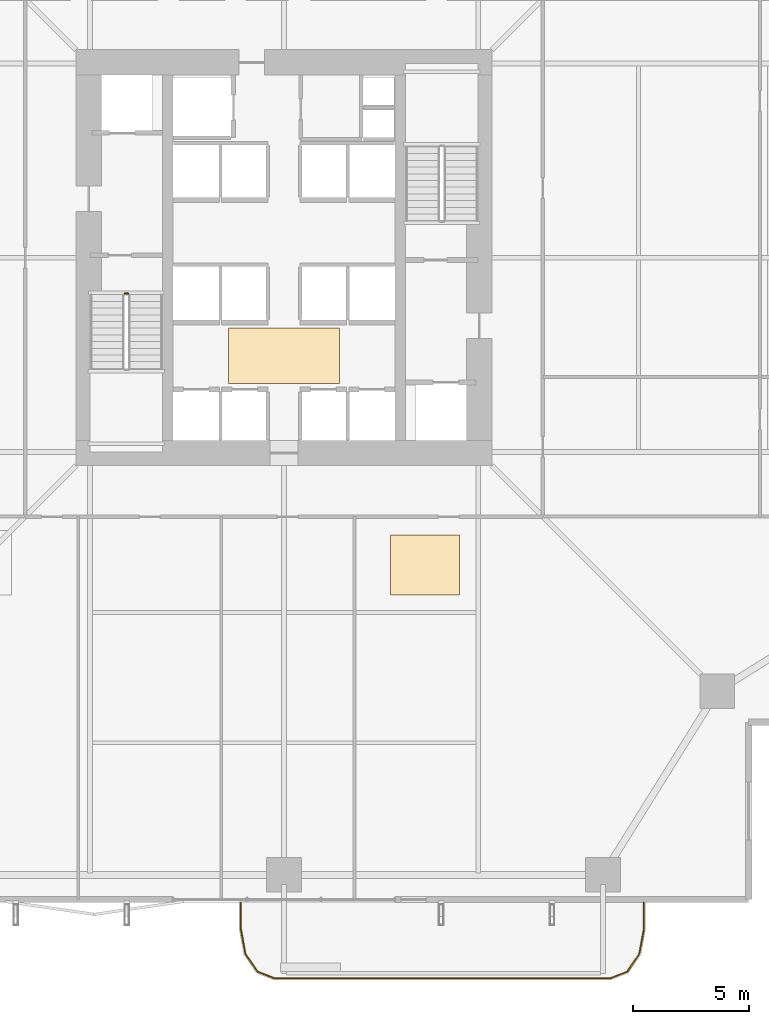
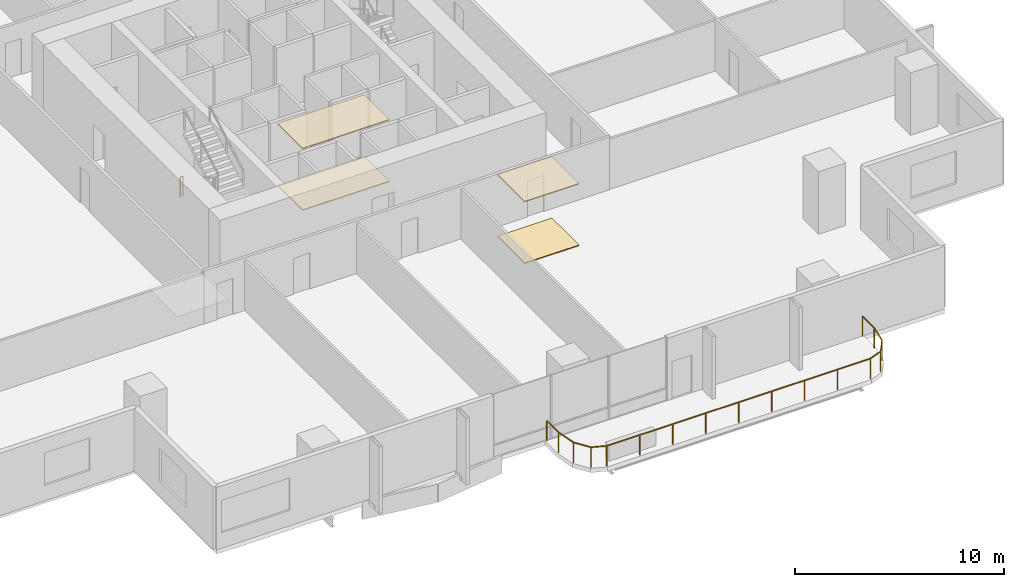
# One storey, part 22 of 24: 4 coverings, 2 railings.
"""IFC4 building model written with IfcOpenShell, lengths in metres."""

import ifcopenshell
import ifcopenshell.guid

model = None  # the IFC model being written
_history = None  # IfcOwnerHistory: only IFC2X3 demands one
_inside = {}  # id of a spatial element -> (the spatial element, [elements in it])
_under = {}  # id of a project, library or spatial element -> (it, [spatial elements below it])
_declared = {}  # id of a project -> (the project, [libraries it declares])
_typed = {}  # id of a type object -> (the type object, [elements of that type])
_made_of = {}  # id of a material, layer set ... -> (it, [elements and type objects made of it])


def new_model(schema):
    """Start an empty IFC model of exactly this schema.

    Asked for "IFC4X3", IfcOpenShell would pick the latest addendum, in which some entities
    have other attributes; the version numbers below select the first issue.
    IFC2X3 requires an IfcOwnerHistory on every rooted entity: one is made here for all.
    """
    global model, _history
    if schema == "IFC4X3":
        model = ifcopenshell.file(schema_version=(4, 3, 0, 0))
    else:
        model = ifcopenshell.file(schema=schema)
    _inside.clear()
    _under.clear()
    _declared.clear()
    _typed.clear()
    _made_of.clear()
    _history = None
    if model.schema == "IFC2X3":
        org = make("IfcOrganization", Name="unknown")
        user = make(
            "IfcPersonAndOrganization",
            ThePerson=make("IfcPerson", FamilyName="unknown"),
            TheOrganization=org,
        )
        app = make(
            "IfcApplication",
            ApplicationDeveloper=org,
            Version="unknown",
            ApplicationFullName="unknown",
            ApplicationIdentifier="unknown",
        )
        _history = make(
            "IfcOwnerHistory",
            OwningUser=user,
            OwningApplication=app,
            ChangeAction="ADDED",
            CreationDate=0,
        )
    return model


def make(cls, **values):
    """One entity of the class cls with the attributes given. An attribute that is None is left unset."""
    return model.create_entity(
        cls, **{name: value for name, value in values.items() if value is not None}
    )


def rooted(cls, **values):
    """An entity with a GlobalId (a new one), such as an element, a storey or a relation."""
    return make(cls, GlobalId=ifcopenshell.guid.new(), OwnerHistory=_history, **values)


def si_unit(unit_type, name, prefix=None):
    """IfcSIUnit, for example si_unit("LENGTHUNIT", "METRE", prefix="MILLI")."""
    return make("IfcSIUnit", UnitType=unit_type, Prefix=prefix, Name=name)


def assignment(units):
    """IfcUnitAssignment: the units of a project."""
    return None if units is None else make("IfcUnitAssignment", Units=units)


def point(xyz):
    """IfcCartesianPoint."""
    return None if xyz is None else make("IfcCartesianPoint", Coordinates=xyz)


def direction(xyz):
    """IfcDirection."""
    return None if xyz is None else make("IfcDirection", DirectionRatios=xyz)


def frame(location, z_axis=None, x_axis=None):
    """IfcAxis2Placement3D, a coordinate frame: its origin and axes. An axis left out is left unset."""
    return make(
        "IfcAxis2Placement3D",
        Location=point(location),
        Axis=direction(z_axis),
        RefDirection=direction(x_axis),
    )


def frame_2d(location, x_axis=None):
    """IfcAxis2Placement2D, a coordinate frame in the plane: its origin and x axis."""
    return make(
        "IfcAxis2Placement2D", Location=point(location), RefDirection=direction(x_axis)
    )


def origin():
    """The frame at (0, 0, 0) with its axes left unset."""
    return frame((0.0, 0.0, 0.0))


def origin_2d():
    """The frame at (0, 0) in the plane with its x axis left unset."""
    return frame_2d((0.0, 0.0))


def place(relative_to, where):
    """IfcLocalPlacement: puts the frame where relative to a parent placement (None: the world)."""
    return make(
        "IfcLocalPlacement", PlacementRelTo=relative_to, RelativePlacement=where
    )


def context(
    kind, dimensions, precision=None, world=None, true_north=None, identifier=None
):
    """IfcGeometricRepresentationContext, for example the 3D "Model" context."""
    return make(
        "IfcGeometricRepresentationContext",
        ContextIdentifier=identifier,
        ContextType=kind,
        CoordinateSpaceDimension=dimensions,
        Precision=precision,
        WorldCoordinateSystem=world,
        TrueNorth=true_north,
    )


def subcontext(parent, identifier, kind, view, scale=None):
    """IfcGeometricRepresentationSubContext, for example "Body" below "Model"."""
    return make(
        "IfcGeometricRepresentationSubContext",
        ContextIdentifier=identifier,
        ContextType=kind,
        ParentContext=parent,
        TargetScale=scale,
        TargetView=view,
    )


def project(units=None, contexts=None):
    """IfcProject with its units and contexts."""
    return rooted(
        "IfcProject",
        Name="project",
        RepresentationContexts=contexts,
        UnitsInContext=assignment(units),
    )


def spatial(cls, under=None, at=None, **own):
    """A site, building, storey or space (cls), placed at a placement, below another one or the project."""
    s = rooted(cls, ObjectPlacement=at, **own)
    if under is not None:
        _under.setdefault(under.id(), (under, []))[1].append(s)
    return s


def polyline(points):
    """IfcPolyline through the points."""
    return make("IfcPolyline", Points=[point(p) for p in points])


def profile(cls, at=None, kind="AREA", **sizes):
    """A parametric profile (cls). Its sizes go by their IFC names, for example OverallWidth=200.0."""
    return make(cls, ProfileType=kind, Position=at, **sizes)


def rectangle(**sizes):
    """IfcRectangleProfileDef."""
    return profile("IfcRectangleProfileDef", **sizes)


def outline(outer, holes=None, kind="AREA"):
    """IfcArbitraryClosedProfileDef: a profile drawn as a closed curve; with holes, ...WithVoids."""
    if holes is None:
        return make("IfcArbitraryClosedProfileDef", ProfileType=kind, OuterCurve=outer)
    return make(
        "IfcArbitraryProfileDefWithVoids",
        ProfileType=kind,
        OuterCurve=outer,
        InnerCurves=holes,
    )


def extrude(swept, where, along, depth):
    """IfcExtrudedAreaSolid: the profile swept, set in the frame where, extruded along a direction by depth."""
    return make(
        "IfcExtrudedAreaSolid",
        SweptArea=swept,
        Position=where,
        ExtrudedDirection=direction(along),
        Depth=depth,
    )


def shape(context_of_items, identifier, shape_type, items):
    """IfcShapeRepresentation: the items that make up one representation, for example the "Body"."""
    return make(
        "IfcShapeRepresentation",
        ContextOfItems=context_of_items,
        RepresentationIdentifier=identifier,
        RepresentationType=shape_type,
        Items=items,
    )


def material(Name=None, Category=None):
    """IfcMaterial."""
    return make("IfcMaterial", Name=Name, Category=Category)


def layer(
    of_material, thickness, ventilated=None, Name=None, Category=None, Priority=None
):
    """IfcMaterialLayer: one layer of a wall or slab, of a material (None: an air gap)."""
    return make(
        "IfcMaterialLayer",
        Material=of_material,
        LayerThickness=thickness,
        IsVentilated=ventilated,
        Name=Name,
        Category=Category,
        Priority=Priority,
    )


def layer_set(layers, Name=None):
    """IfcMaterialLayerSet."""
    return make("IfcMaterialLayerSet", MaterialLayers=layers, LayerSetName=Name)


def made_of(thing, what):
    """Note that an element or type object is made of a material, layer set ...; save() writes the relation."""
    if what is not None:
        _made_of.setdefault(what.id(), (what, []))[1].append(thing)
    return thing


def type_object(cls, material=None, **own):
    """A type object (cls), such as IfcWallType, which elements share."""
    return made_of(rooted(cls, **own), material)


def element(
    cls,
    number,
    at=None,
    inside=None,
    cuts=None,
    type_object=None,
    material=None,
    context=None,
    identifier="Body",
    shape_type=None,
    held_by="IfcProductDefinitionShape",
    body=None,
    shapes=None,
    **own,
):
    """One element of the class cls, such as IfcWall. Its Tag is "e" and its number.

    at: its placement. inside: the storey or other place that contains it. cuts: it is an
    opening in that element (IfcRelVoidsElement). A single representation is given by context,
    identifier, shape_type and body (its items); several are given by shapes. held_by: the class
    of the entity that holds the representations. save() writes the other relations.
    """
    e = rooted(cls, Tag="e%d" % number, ObjectPlacement=at, **own)
    if body is not None:
        shapes = [shape(context, identifier, shape_type, body)]
    if shapes is not None:
        e.Representation = make(held_by, Representations=shapes)
    if inside is not None:
        _inside.setdefault(inside.id(), (inside, []))[1].append(e)
    if cuts is not None:
        rooted(
            "IfcRelVoidsElement", RelatingBuildingElement=cuts, RelatedOpeningElement=e
        )
    if type_object is not None:
        _typed.setdefault(type_object.id(), (type_object, []))[1].append(e)
    return made_of(e, material)


def aggregate(whole, parts):
    """IfcRelAggregates: a whole, such as a stair, and the parts it consists of."""
    return rooted("IfcRelAggregates", RelatingObject=whole, RelatedObjects=parts)


def save(model, path):
    """Write the relations noted so far, then the file.

    IfcRelAggregates (storeys below a building ...), IfcRelContainedInSpatialStructure (elements
    in a storey), IfcRelDefinesByType, IfcRelAssociatesMaterial and IfcRelDeclares: one each for
    every whole, place, type object, material and project.
    """
    for whole, parts in _under.values():
        aggregate(whole, parts)
    for where, things in _inside.values():
        rooted(
            "IfcRelContainedInSpatialStructure",
            RelatedElements=things,
            RelatingStructure=where,
        )
    for kind, things in _typed.values():
        rooted("IfcRelDefinesByType", RelatedObjects=things, RelatingType=kind)
    for what, things in _made_of.values():
        rooted("IfcRelAssociatesMaterial", RelatedObjects=things, RelatingMaterial=what)
    for by, libraries in _declared.values():
        rooted("IfcRelDeclares", RelatingContext=by, RelatedDefinitions=libraries)
    model.write(path)


model = new_model("IFC4")

# Units and contexts
model_context = context("Model", 3, precision=1e-05, world=origin(), true_north=direction((0.0, 1.0)))
body_context = subcontext(model_context, "Body", "Model", "MODEL_VIEW")
ifc_project = project(units=[si_unit("LENGTHUNIT", "METRE"), si_unit("AREAUNIT", "SQUARE_METRE"), si_unit("VOLUMEUNIT", "CUBIC_METRE"), si_unit("PLANEANGLEUNIT", "RADIAN"), si_unit("MASSUNIT", "GRAM", prefix="KILO")], contexts=[model_context])

# Site, building, storey
site_placement = place(None, origin())
site = spatial("IfcSite", under=ifc_project, at=site_placement, CompositionType="ELEMENT")
building_placement = place(site_placement, origin())
building = spatial("IfcBuilding", under=site, at=building_placement, Name="Belovzor Exchange Tower", CompositionType="ELEMENT")
storey_placement = place(building_placement, frame((0.0, 0.0, 96.300048828125)))
storey = spatial("IfcBuildingStorey", under=building, at=storey_placement, Name="L23", CompositionType="ELEMENT", Elevation=96.300048828125)

# Railings
ifc_material_1 = material(Name="Stainless Steel and Laminated Safety Glass", Category="steel")
railing_type_1 = type_object("IfcRailingType", Name="Laminated Glass & Stainless Steel Balcony Balustrade 1200", PredefinedType="BALUSTRADE", material=ifc_material_1)
railing_1_placement = place(storey_placement, frame((26.929931640625, 0.889892578125, 0.0)))
element("IfcRailing", 1, at=railing_1_placement, inside=storey, type_object=railing_type_1, Name="GR-1 Balcony Balustrade L23 South", PredefinedType="BALUSTRADE", context=body_context, shape_type="SweptSolid", body=[
    extrude(rectangle(XDim=0.048095703125, YDim=0.048095703125, at=origin_2d()), frame((0.0, 0.0, 1.17578125), z_axis=(0.0, -1.0, 0.0), x_axis=(1.0, 0.0, 0.0)), (0.0, 0.0, 1.0), 1.1328125),
    extrude(rectangle(XDim=0.048095703125, YDim=0.048095703125, at=origin_2d()), frame((0.0, -1.1328125, 1.17578125), z_axis=(0.180083182347, -0.983651385113, 0.0), x_axis=(0.983651385113, 0.180083182347, 0.0)), (0.0, 0.0, 1.0), 1.093994140625),
    extrude(rectangle(XDim=0.048095703125, YDim=0.048095703125, at=origin_2d()), frame((0.197021484375, -2.208984375, 1.17578125), z_axis=(0.56294695933, -0.826493025367, 0.0), x_axis=(0.826493025367, 0.56294695933, 0.0)), (0.0, 0.0, 1.0), 0.932861328125),
    extrude(rectangle(XDim=0.048095703125, YDim=0.048095703125, at=origin_2d()), frame((0.72216796875, -2.97998046875, 1.17578125), z_axis=(0.930766990125, -0.365612923861, 0.0), x_axis=(0.365612923861, 0.930766990125, 0.0)), (0.0, 0.0, 1.0), 0.765869140625),
    extrude(rectangle(XDim=0.048095703125, YDim=0.048095703125, at=origin_2d()), frame((1.43505859375, -3.260009765625, 1.17578125), z_axis=(1.0, 0.0, 0.0), x_axis=(0.0, 1.0, 0.0)), (0.0, 0.0, 1.0), 14.570068359375),
    extrude(rectangle(XDim=0.048095703125, YDim=0.048095703125, at=origin_2d()), frame((16.005126953125, -3.260009765625, 1.17578125), z_axis=(0.930766990125, 0.365612923861, 0.0), x_axis=(-0.365612923861, 0.930766990125, 0.0)), (0.0, 0.0, 1.0), 0.765869140625),
    extrude(rectangle(XDim=0.048095703125, YDim=0.048095703125, at=origin_2d()), frame((16.718017578125, -2.97998046875, 1.17578125), z_axis=(0.56294695933, 0.826493025367, 0.0), x_axis=(-0.826493025367, 0.56294695933, 0.0)), (0.0, 0.0, 1.0), 0.932861328125),
    extrude(rectangle(XDim=0.048095703125, YDim=0.048095703125, at=origin_2d()), frame((17.2431640625, -2.208984375, 1.17578125), z_axis=(0.180083182347, 0.983651385113, 0.0), x_axis=(-0.983651385113, 0.180083182347, 0.0)), (0.0, 0.0, 1.0), 1.093994140625),
    extrude(rectangle(XDim=0.048095703125, YDim=0.048095703125, at=origin_2d()), frame((17.440185546875, -1.1328125, 1.17578125), z_axis=(0.0, 1.0, 0.0), x_axis=(-1.0, 0.0, 0.0)), (0.0, 0.0, 1.0), 1.1328125),
    extrude(rectangle(XDim=0.0419921875, YDim=0.0419921875, at=origin_2d()), origin(), (0.0, 0.0, 1.0), 1.15185546875),
    extrude(rectangle(XDim=0.0419921875, YDim=0.0419921875, at=origin_2d()), frame((0.0, -1.1328125, 0.0)), (0.0, 0.0, 1.0), 1.15185546875),
    extrude(rectangle(XDim=0.0419921875, YDim=0.0419921875, at=origin_2d()), frame((0.197021484375, -2.208984375, 0.0)), (0.0, 0.0, 1.0), 1.15185546875),
    extrude(rectangle(XDim=0.0419921875, YDim=0.0419921875, at=origin_2d()), frame((0.72216796875, -2.97998046875, 0.0)), (0.0, 0.0, 1.0), 1.15185546875),
    extrude(rectangle(XDim=0.0419921875, YDim=0.0419921875, at=origin_2d()), frame((1.43505859375, -3.260009765625, 0.0)), (0.0, 0.0, 1.0), 1.15185546875),
    extrude(rectangle(XDim=0.0419921875, YDim=0.0419921875, at=origin_2d()), frame((3.25634765625, -3.260009765625, 0.0)), (0.0, 0.0, 1.0), 1.15185546875),
    extrude(rectangle(XDim=0.0419921875, YDim=0.0419921875, at=origin_2d()), frame((5.07763671875, -3.260009765625, 0.0)), (0.0, 0.0, 1.0), 1.15185546875),
    extrude(rectangle(XDim=0.0419921875, YDim=0.0419921875, at=origin_2d()), frame((6.89892578125, -3.260009765625, 0.0)), (0.0, 0.0, 1.0), 1.15185546875),
    extrude(rectangle(XDim=0.0419921875, YDim=0.0419921875, at=origin_2d()), frame((8.72021484375, -3.260009765625, 0.0)), (0.0, 0.0, 1.0), 1.15185546875),
    extrude(rectangle(XDim=0.0419921875, YDim=0.0419921875, at=origin_2d()), frame((10.541259765625, -3.260009765625, 0.0)), (0.0, 0.0, 1.0), 1.15185546875),
    extrude(rectangle(XDim=0.0419921875, YDim=0.0419921875, at=origin_2d()), frame((12.362548828125, -3.260009765625, 0.0)), (0.0, 0.0, 1.0), 1.15185546875),
    extrude(rectangle(XDim=0.0419921875, YDim=0.0419921875, at=origin_2d()), frame((14.183837890625, -3.260009765625, 0.0)), (0.0, 0.0, 1.0), 1.15185546875),
    extrude(rectangle(XDim=0.0419921875, YDim=0.0419921875, at=origin_2d()), frame((16.005126953125, -3.260009765625, 0.0)), (0.0, 0.0, 1.0), 1.15185546875),
    extrude(rectangle(XDim=0.0419921875, YDim=0.0419921875, at=origin_2d()), frame((16.718017578125, -2.97998046875, 0.0)), (0.0, 0.0, 1.0), 1.15185546875),
    extrude(rectangle(XDim=0.0419921875, YDim=0.0419921875, at=origin_2d()), frame((17.2431640625, -2.208984375, 0.0)), (0.0, 0.0, 1.0), 1.15185546875),
    extrude(rectangle(XDim=0.0419921875, YDim=0.0419921875, at=origin_2d()), frame((17.440185546875, -1.1328125, 0.0)), (0.0, 0.0, 1.0), 1.15185546875),
    extrude(rectangle(XDim=0.0419921875, YDim=0.0419921875, at=origin_2d()), frame((17.440185546875, 0.0, 0.0)), (0.0, 0.0, 1.0), 1.15185546875),
])
ifc_material_2 = material(Name="Steel S355", Category="steel")
railing_type_2 = type_object("IfcRailingType", Name="Painted Steel Stairwell Guardrail 1200", PredefinedType="GUARDRAIL", material=ifc_material_2)
railing_2_placement = place(storey_placement, frame((21.89990234375, 27.25, 0.0)))
element("IfcRailing", 2, at=railing_2_placement, inside=storey, type_object=railing_type_2, Name="L23 ST-1 stair guard 4", PredefinedType="GUARDRAIL", context=body_context, shape_type="SweptSolid", body=[
    extrude(rectangle(XDim=0.048095703125, YDim=0.048095703125, at=origin_2d()), frame((0.0, 0.0, 1.17578125), z_axis=(1.0, 0.0, 0.0), x_axis=(0.0, 1.0, 0.0)), (0.0, 0.0, 1.0), 0.150146484375),
    extrude(rectangle(XDim=0.0419921875, YDim=0.0419921875, at=origin_2d()), origin(), (0.0, 0.0, 1.0), 1.15185546875),
    extrude(rectangle(XDim=0.0419921875, YDim=0.0419921875, at=origin_2d()), frame((0.150146484375, 0.0, 0.0)), (0.0, 0.0, 1.0), 1.15185546875),
])

# Coverings
ifc_material_3 = material(Name="Perforated Powder-Coated Aluminium", Category="aluminium")
ifc_layer_1 = layer(ifc_material_3, 0.06005859375)
ifc_layer_set_1 = layer_set([ifc_layer_1], Name="Perforated Powder-Coated Aluminium")
covering_type_1 = type_object("IfcCoveringType", Name="Perforated Acoustic Metal Tile Suspended Ceiling 60", PredefinedType="CEILING", material=ifc_layer_set_1)
covering_1_placement = place(storey_placement, frame((0.0, 0.0, 3.58984375)))
element("IfcCovering", 3, at=covering_1_placement, inside=storey, type_object=covering_type_1, Name="CLG-AC60 Suspended Ceiling CLG-L23-LOB", PredefinedType="CEILING", context=body_context, shape_type="SweptSolid", body=[
    extrude(outline(polyline([(26.39990234375, 23.35009765625), (31.199951171875, 23.35009765625), (31.199951171875, 25.75), (26.39990234375, 25.75), (26.39990234375, 23.35009765625)])), origin(), (0.0, 0.0, 1.0), 0.06005859375),
])
covering_2_placement = place(storey_placement, frame((0.0, 0.0, 3.58984375)))
element("IfcCovering", 4, at=covering_2_placement, inside=storey, type_object=covering_type_1, Name="CLG-AC60 Suspended Ceiling CLG-L23-Z1", PredefinedType="CEILING", context=body_context, shape_type="SweptSolid", body=[
    extrude(outline(polyline([(33.39990234375, 14.199951171875), (36.39990234375, 14.199951171875), (36.39990234375, 16.800048828125), (33.39990234375, 16.800048828125), (33.39990234375, 14.199951171875)])), origin(), (0.0, 0.0, 1.0), 0.06005859375),
])
ifc_material_4 = material(Name="Polished Natural Granite Tile", Category="masonry")
ifc_layer_2 = layer(ifc_material_4, 0.050048828125)
ifc_layer_set_2 = layer_set([ifc_layer_2], Name="Polished Natural Granite Tile")
covering_type_2 = type_object("IfcCoveringType", Name="Polished Karelian Granite & Raised Access Floor Finish 50", PredefinedType="FLOORING", material=ifc_layer_set_2)
covering_3_placement = place(storey_placement, origin())
element("IfcCovering", 5, at=covering_3_placement, inside=storey, type_object=covering_type_2, Name="FLR-GR50 Floor Finish FLR-L23-LOB", PredefinedType="FLOORING", context=body_context, shape_type="SweptSolid", body=[
    extrude(outline(polyline([(26.39990234375, 23.35009765625), (31.199951171875, 23.35009765625), (31.199951171875, 25.75), (26.39990234375, 25.75), (26.39990234375, 23.35009765625)])), origin(), (0.0, 0.0, 1.0), 0.050048828125),
])
covering_4_placement = place(storey_placement, origin())
element("IfcCovering", 6, at=covering_4_placement, inside=storey, type_object=covering_type_2, Name="FLR-GR50 Floor Finish FLR-L23-Z1", PredefinedType="FLOORING", context=body_context, shape_type="SweptSolid", body=[
    extrude(outline(polyline([(33.39990234375, 14.199951171875), (36.39990234375, 14.199951171875), (36.39990234375, 16.800048828125), (33.39990234375, 16.800048828125), (33.39990234375, 14.199951171875)])), origin(), (0.0, 0.0, 1.0), 0.050048828125),
])

save(model, "model.ifc")
